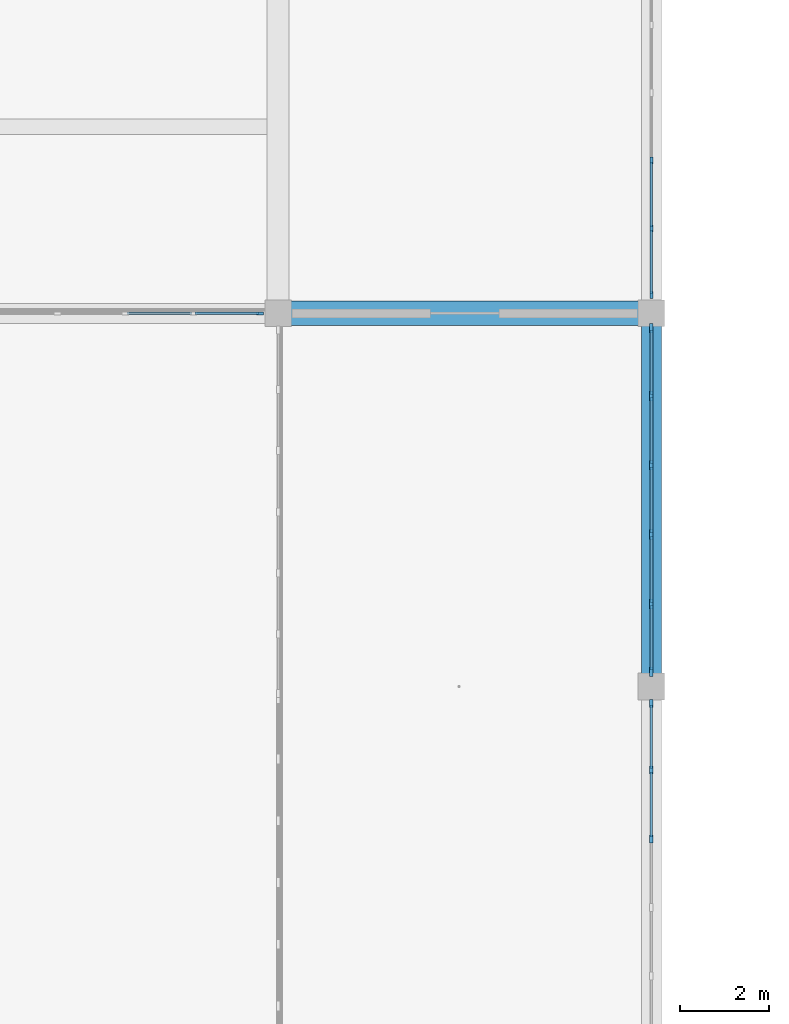
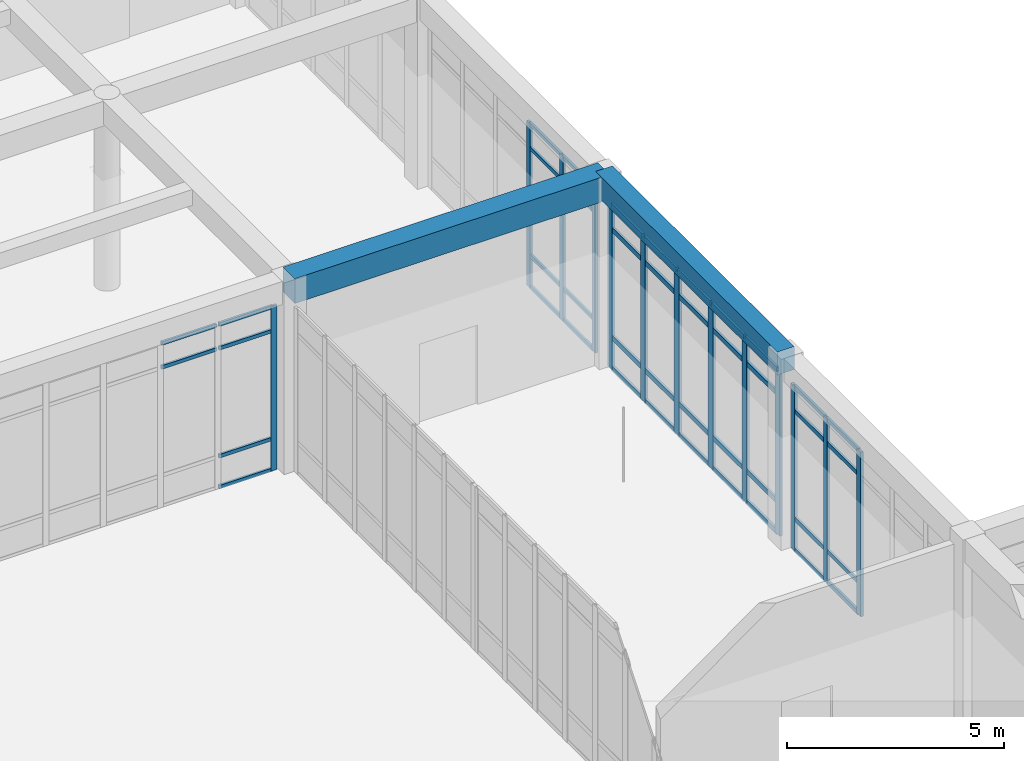
# One storey, part 29 of 157: 55 members, 2 beams, 4 elements without a shape of their own.
"""IFC4 building model written with IfcOpenShell, lengths in metres."""

from ifc_helpers import new_model, si_unit, direction, frame, origin, origin_2d, place, context, subcontext, project, spatial, rectangle, extrude, material, material_profile, profile_set, type_object, element, aggregate, save


model = new_model("IFC4")

# Units and contexts
model_context = context("Model", 3, precision=1e-05, world=origin(), true_north=direction((0.0, 1.0)))
body_context = subcontext(model_context, "Body", "Model", "MODEL_VIEW")
ifc_project = project(units=[si_unit("LENGTHUNIT", "METRE"), si_unit("AREAUNIT", "SQUARE_METRE"), si_unit("VOLUMEUNIT", "CUBIC_METRE"), si_unit("PLANEANGLEUNIT", "RADIAN"), si_unit("MASSUNIT", "GRAM", prefix="KILO")], contexts=[model_context])

# Site, building, storey
site_placement = place(None, origin())
site = spatial("IfcSite", under=ifc_project, at=site_placement, CompositionType="ELEMENT")
building_placement = place(site_placement, origin())
building = spatial("IfcBuilding", under=site, at=building_placement, Name="Varncliffe General Hospital", CompositionType="ELEMENT")
storey_placement = place(building_placement, frame((0.0, 0.0, 5.39990234375)))
storey = spatial("IfcBuildingStorey", under=building, at=storey_placement, Name="L01", CompositionType="ELEMENT", Elevation=5.39990234375)

# Beam
ifc_material_1 = material(Name="Concrete C35/45 (CSA A23.1 35 MPa)", Category="concrete")
ifc_material_profile_1 = material_profile(ifc_material_1, rectangle(XDim=0.550048828125, YDim=0.699951171875, at=origin_2d()), Name="RC 550x700")
ifc_profile_set_1 = profile_set([ifc_material_profile_1], Name="Concrete C35/45 (CSA A23.1 35 MPa)")
beam_type_1 = type_object("IfcBeamType", Name="Beam B35 (Int RC 550x700)", PredefinedType="BEAM", material=ifc_profile_set_1)
beam_1_placement = place(storey_placement, frame((109.199951171875, 57.60009765625, 5.050048828125), z_axis=(1.0, 0.0, 0.0), x_axis=(0.0, 1.0, 0.0)))
element("IfcBeam", 1, at=beam_1_placement, inside=storey, type_object=beam_type_1, Name="L01 Primary Beam B35-82", PredefinedType="BEAM", context=body_context, shape_type="SweptSolid", body=[
    extrude(rectangle(XDim=0.550048828125, YDim=0.699951171875, at=origin_2d()), origin(), (0.0, 0.0, 1.0), 8.400146484375),
])

# Curtain wall, members
ifc_material_2 = material(Name="Triple low-E argon insulated vision glazing", Category="glass")
curtain_wall_type_1 = type_object("IfcCurtainWallType", Name="Unitised Glazed Curtain Wall CW70 (7724x4640)", PredefinedType="USERDEFINED", material=ifc_material_2)
curtain_wall_1_placement = place(storey_placement, origin())
curtain_wall_1 = element("IfcCurtainWall", 2, at=curtain_wall_1_placement, inside=storey, type_object=curtain_wall_type_1, Name="L01 Glazed Curtain Wall CW70-58", ObjectType="GLAZED CURTAIN WALL", PredefinedType="USERDEFINED")
ifc_material_3 = material(Name="Dark bronze thermally broken aluminium framing", Category="aluminium")
ifc_material_profile_2 = material_profile(ifc_material_3, rectangle(XDim=0.074951171875, YDim=0.179931640625, at=origin_2d()), Name="ALU 75x180")
ifc_profile_set_2 = profile_set([ifc_material_profile_2], Name="Dark bronze thermally broken aluminium framing")
member_type_1 = type_object("IfcMemberType", Name="Curtain Wall Mullion CM44 (ALU 75x180)", PredefinedType="MULLION", material=ifc_profile_set_2)
member_1_placement = place(storey_placement, frame((117.60009765625, 48.824462890625, 0.0), z_axis=(0.0, 0.0, 1.0), x_axis=(1.0, 0.0, 0.0)))
member_1 = element("IfcMember", 3, at=member_1_placement, type_object=member_type_1, Name="CW70 mullion 1", PredefinedType="MULLION", context=body_context, shape_type="SweptSolid", body=[
    extrude(rectangle(XDim=0.074951171875, YDim=0.179931640625, at=origin_2d()), origin(), (0.0, 0.0, 1.0), 4.64013671875),
])
member_2_placement = place(storey_placement, frame((117.60009765625, 47.317138671875, 0.0), z_axis=(0.0, 0.0, 1.0), x_axis=(1.0, 0.0, 0.0)))
member_2 = element("IfcMember", 4, at=member_2_placement, type_object=member_type_1, Name="CW70 mullion 2", PredefinedType="MULLION", context=body_context, shape_type="SweptSolid", body=[
    extrude(rectangle(XDim=0.074951171875, YDim=0.179931640625, at=origin_2d()), origin(), (0.0, 0.0, 1.0), 4.64013671875),
])
member_3_placement = place(storey_placement, frame((117.60009765625, 45.7724609375, 0.0), z_axis=(0.0, 0.0, 1.0), x_axis=(1.0, 0.0, 0.0)))
member_3 = element("IfcMember", 5, at=member_3_placement, type_object=member_type_1, Name="CW70 mullion 3", PredefinedType="MULLION", context=body_context, shape_type="SweptSolid", body=[
    extrude(rectangle(XDim=0.074951171875, YDim=0.179931640625, at=origin_2d()), origin(), (0.0, 0.0, 1.0), 4.64013671875),
])

curtain_wall_type_2 = type_object("IfcCurtainWallType", Name="Unitised Glazed Curtain Wall CW27 (7644x4640)", PredefinedType="USERDEFINED", material=ifc_material_2)
curtain_wall_2_placement = place(storey_placement, origin())
curtain_wall_2 = element("IfcCurtainWall", 6, at=curtain_wall_2_placement, inside=storey, type_object=curtain_wall_type_2, Name="L01 Glazed Curtain Wall CW27-56", ObjectType="GLAZED CURTAIN WALL", PredefinedType="USERDEFINED")
ifc_material_profile_3 = material_profile(ifc_material_3, rectangle(XDim=0.06494140625, YDim=0.159912109375, at=origin_2d()), Name="ALU 65x160")
ifc_profile_set_3 = profile_set([ifc_material_profile_3], Name="Dark bronze thermally broken aluminium framing")
member_type_2 = type_object("IfcMemberType", Name="Curtain Wall Mullion CM65 (ALU 65x160)", PredefinedType="MULLION", material=ifc_profile_set_3)
member_4_placement = place(storey_placement, frame((117.60009765625, 61.03564453125, 0.0), z_axis=(0.0, 0.0, 1.0), x_axis=(1.0, 0.0, 0.0)))
member_4 = element("IfcMember", 7, at=member_4_placement, type_object=member_type_2, Name="CW27 mullion 4", PredefinedType="MULLION", context=body_context, shape_type="SweptSolid", body=[
    extrude(rectangle(XDim=0.06494140625, YDim=0.159912109375, at=origin_2d()), origin(), (0.0, 0.0, 1.0), 4.64013671875),
])
member_5_placement = place(storey_placement, frame((117.60009765625, 59.5068359375, 0.0), z_axis=(0.0, 0.0, 1.0), x_axis=(1.0, 0.0, 0.0)))
member_5 = element("IfcMember", 8, at=member_5_placement, type_object=member_type_2, Name="CW27 mullion 5", PredefinedType="MULLION", context=body_context, shape_type="SweptSolid", body=[
    extrude(rectangle(XDim=0.06494140625, YDim=0.159912109375, at=origin_2d()), origin(), (0.0, 0.0, 1.0), 4.64013671875),
])
member_6_placement = place(storey_placement, frame((117.60009765625, 58.010498046875, 0.0), z_axis=(0.0, 0.0, 1.0), x_axis=(1.0, 0.0, 0.0)))
member_6 = element("IfcMember", 9, at=member_6_placement, type_object=member_type_2, Name="CW27 mullion 6", PredefinedType="MULLION", context=body_context, shape_type="SweptSolid", body=[
    extrude(rectangle(XDim=0.06494140625, YDim=0.159912109375, at=origin_2d()), origin(), (0.0, 0.0, 1.0), 4.64013671875),
])

# Curtain wall, member
curtain_wall_3_placement = place(storey_placement, origin())
curtain_wall_3 = element("IfcCurtainWall", 10, at=curtain_wall_3_placement, inside=storey, type_object=curtain_wall_type_2, Name="L01 Glazed Curtain Wall CW27-101", ObjectType="GLAZED CURTAIN WALL", PredefinedType="USERDEFINED")
member_7_placement = place(storey_placement, frame((108.78955078125, 57.60009765625, 0.0), z_axis=(0.0, 0.0, 1.0), x_axis=(0.0, -1.0, 0.0)))
member_7 = element("IfcMember", 11, at=member_7_placement, type_object=member_type_2, Name="CW27 mullion 1", PredefinedType="MULLION", context=body_context, shape_type="SweptSolid", body=[
    extrude(rectangle(XDim=0.06494140625, YDim=0.159912109375, at=origin_2d()), origin(), (0.0, 0.0, 1.0), 4.64013671875),
])

# Curtain wall, members
curtain_wall_type_3 = type_object("IfcCurtainWallType", Name="Unitised Glazed Curtain Wall CW85 (7804x4640)", PredefinedType="USERDEFINED", material=ifc_material_2)
curtain_wall_4_placement = place(storey_placement, origin())
curtain_wall_4 = element("IfcCurtainWall", 12, at=curtain_wall_4_placement, inside=storey, type_object=curtain_wall_type_3, Name="L01 Glazed Curtain Wall CW85-57", ObjectType="GLAZED CURTAIN WALL", PredefinedType="USERDEFINED")
ifc_material_profile_4 = material_profile(ifc_material_3, rectangle(XDim=0.074951171875, YDim=0.219970703125, at=origin_2d()), Name="ALU 75x220")
ifc_profile_set_4 = profile_set([ifc_material_profile_4], Name="Dark bronze thermally broken aluminium framing")
member_type_3 = type_object("IfcMemberType", Name="Curtain Wall Mullion CM74 (ALU 75x220)", PredefinedType="MULLION", material=ifc_profile_set_4)
member_8_placement = place(storey_placement, frame((117.60009765625, 57.264404296875, 0.0), z_axis=(0.0, 0.0, 1.0), x_axis=(1.0, 0.0, 0.0)))
member_8 = element("IfcMember", 13, at=member_8_placement, type_object=member_type_3, Name="CW85 mullion 1", PredefinedType="MULLION", context=body_context, shape_type="SweptSolid", body=[
    extrude(rectangle(XDim=0.074951171875, YDim=0.219970703125, at=origin_2d()), origin(), (0.0, 0.0, 1.0), 4.64013671875),
])
member_9_placement = place(storey_placement, frame((117.60009765625, 55.7412109375, 0.0), z_axis=(0.0, 0.0, 1.0), x_axis=(1.0, 0.0, 0.0)))
member_9 = element("IfcMember", 14, at=member_9_placement, type_object=member_type_3, Name="CW85 mullion 2", PredefinedType="MULLION", context=body_context, shape_type="SweptSolid", body=[
    extrude(rectangle(XDim=0.074951171875, YDim=0.219970703125, at=origin_2d()), origin(), (0.0, 0.0, 1.0), 4.64013671875),
])
member_10_placement = place(storey_placement, frame((117.60009765625, 54.180419921875, 0.0), z_axis=(0.0, 0.0, 1.0), x_axis=(1.0, 0.0, 0.0)))
member_10 = element("IfcMember", 15, at=member_10_placement, type_object=member_type_3, Name="CW85 mullion 3", PredefinedType="MULLION", context=body_context, shape_type="SweptSolid", body=[
    extrude(rectangle(XDim=0.074951171875, YDim=0.219970703125, at=origin_2d()), origin(), (0.0, 0.0, 1.0), 4.64013671875),
])
member_11_placement = place(storey_placement, frame((117.60009765625, 52.61962890625, 0.0), z_axis=(0.0, 0.0, 1.0), x_axis=(1.0, 0.0, 0.0)))
member_11 = element("IfcMember", 16, at=member_11_placement, type_object=member_type_3, Name="CW85 mullion 4", PredefinedType="MULLION", context=body_context, shape_type="SweptSolid", body=[
    extrude(rectangle(XDim=0.074951171875, YDim=0.219970703125, at=origin_2d()), origin(), (0.0, 0.0, 1.0), 4.64013671875),
])
member_12_placement = place(storey_placement, frame((117.60009765625, 51.058837890625, 0.0), z_axis=(0.0, 0.0, 1.0), x_axis=(1.0, 0.0, 0.0)))
member_12 = element("IfcMember", 17, at=member_12_placement, type_object=member_type_3, Name="CW85 mullion 5", PredefinedType="MULLION", context=body_context, shape_type="SweptSolid", body=[
    extrude(rectangle(XDim=0.074951171875, YDim=0.219970703125, at=origin_2d()), origin(), (0.0, 0.0, 1.0), 4.64013671875),
])
member_13_placement = place(storey_placement, frame((117.60009765625, 49.535400390625, 0.0), z_axis=(0.0, 0.0, 1.0), x_axis=(1.0, 0.0, 0.0)))
member_13 = element("IfcMember", 18, at=member_13_placement, type_object=member_type_3, Name="CW85 mullion 6", PredefinedType="MULLION", context=body_context, shape_type="SweptSolid", body=[
    extrude(rectangle(XDim=0.074951171875, YDim=0.219970703125, at=origin_2d()), origin(), (0.0, 0.0, 1.0), 4.64013671875),
])

# Member
ifc_material_profile_5 = material_profile(ifc_material_3, rectangle(XDim=0.06005859375, YDim=0.1201171875, at=origin_2d()), Name="ALU 60x120")
ifc_profile_set_5 = profile_set([ifc_material_profile_5], Name="Dark bronze thermally broken aluminium framing")
member_type_4 = type_object("IfcMemberType", Name="Curtain Wall Transom CT14 (ALU 60x120)", PredefinedType="USERDEFINED", material=ifc_profile_set_5)
member_14_placement = place(storey_placement, frame((117.60009765625, 48.787109375, 0.030029296875), z_axis=(0.0, -1.0, 0.0), x_axis=(1.0, 0.0, 0.0)))
member_14 = element("IfcMember", 19, at=member_14_placement, type_object=member_type_4, Name="CW70 transom 1.1", ObjectType="TRANSOM", PredefinedType="USERDEFINED", context=body_context, shape_type="SweptSolid", body=[
    extrude(rectangle(XDim=0.06005859375, YDim=0.1201171875, at=origin_2d()), origin(), (0.0, 0.0, 1.0), 1.432373046875),
])

member_15_placement = place(storey_placement, frame((117.60009765625, 48.787109375, 0.900146484375), z_axis=(0.0, -1.0, 0.0), x_axis=(1.0, 0.0, 0.0)))
member_15 = element("IfcMember", 20, at=member_15_placement, type_object=member_type_4, Name="CW70 transom 1.2", ObjectType="TRANSOM", PredefinedType="USERDEFINED", context=body_context, shape_type="SweptSolid", body=[
    extrude(rectangle(XDim=0.06005859375, YDim=0.1201171875, at=origin_2d()), origin(), (0.0, 0.0, 1.0), 1.432373046875),
])

member_16_placement = place(storey_placement, frame((117.60009765625, 48.787109375, 3.940185546875), z_axis=(0.0, -1.0, 0.0), x_axis=(1.0, 0.0, 0.0)))
member_16 = element("IfcMember", 21, at=member_16_placement, type_object=member_type_4, Name="CW70 transom 1.3", ObjectType="TRANSOM", PredefinedType="USERDEFINED", context=body_context, shape_type="SweptSolid", body=[
    extrude(rectangle(XDim=0.06005859375, YDim=0.1201171875, at=origin_2d()), origin(), (0.0, 0.0, 1.0), 1.432373046875),
])

member_17_placement = place(storey_placement, frame((117.60009765625, 48.787109375, 4.610107421875), z_axis=(0.0, -1.0, 0.0), x_axis=(1.0, 0.0, 0.0)))
member_17 = element("IfcMember", 22, at=member_17_placement, type_object=member_type_4, Name="CW70 transom 1.4", ObjectType="TRANSOM", PredefinedType="USERDEFINED", context=body_context, shape_type="SweptSolid", body=[
    extrude(rectangle(XDim=0.06005859375, YDim=0.1201171875, at=origin_2d()), origin(), (0.0, 0.0, 1.0), 1.432373046875),
])

member_18_placement = place(storey_placement, frame((117.60009765625, 47.27978515625, 0.030029296875), z_axis=(0.0, -1.0, 0.0), x_axis=(1.0, 0.0, 0.0)))
member_18 = element("IfcMember", 23, at=member_18_placement, type_object=member_type_4, Name="CW70 transom 2.1", ObjectType="TRANSOM", PredefinedType="USERDEFINED", context=body_context, shape_type="SweptSolid", body=[
    extrude(rectangle(XDim=0.06005859375, YDim=0.1201171875, at=origin_2d()), origin(), (0.0, 0.0, 1.0), 1.469970703125),
])

member_19_placement = place(storey_placement, frame((117.60009765625, 47.27978515625, 0.900146484375), z_axis=(0.0, -1.0, 0.0), x_axis=(1.0, 0.0, 0.0)))
member_19 = element("IfcMember", 24, at=member_19_placement, type_object=member_type_4, Name="CW70 transom 2.2", ObjectType="TRANSOM", PredefinedType="USERDEFINED", context=body_context, shape_type="SweptSolid", body=[
    extrude(rectangle(XDim=0.06005859375, YDim=0.1201171875, at=origin_2d()), origin(), (0.0, 0.0, 1.0), 1.469970703125),
])

member_20_placement = place(storey_placement, frame((117.60009765625, 47.27978515625, 3.940185546875), z_axis=(0.0, -1.0, 0.0), x_axis=(1.0, 0.0, 0.0)))
member_20 = element("IfcMember", 25, at=member_20_placement, type_object=member_type_4, Name="CW70 transom 2.3", ObjectType="TRANSOM", PredefinedType="USERDEFINED", context=body_context, shape_type="SweptSolid", body=[
    extrude(rectangle(XDim=0.06005859375, YDim=0.1201171875, at=origin_2d()), origin(), (0.0, 0.0, 1.0), 1.469970703125),
])

member_21_placement = place(storey_placement, frame((117.60009765625, 47.27978515625, 4.610107421875), z_axis=(0.0, -1.0, 0.0), x_axis=(1.0, 0.0, 0.0)))
member_21 = element("IfcMember", 26, at=member_21_placement, type_object=member_type_4, Name="CW70 transom 2.4", ObjectType="TRANSOM", PredefinedType="USERDEFINED", context=body_context, shape_type="SweptSolid", body=[
    extrude(rectangle(XDim=0.06005859375, YDim=0.1201171875, at=origin_2d()), origin(), (0.0, 0.0, 1.0), 1.469970703125),
])

aggregate(curtain_wall_1, [member_1, member_2, member_3, member_14, member_15, member_16, member_17, member_18, member_19, member_20, member_21])

ifc_material_profile_6 = material_profile(ifc_material_3, rectangle(XDim=0.06005859375, YDim=0.10009765625, at=origin_2d()), Name="ALU 60x100")
ifc_profile_set_6 = profile_set([ifc_material_profile_6], Name="Dark bronze thermally broken aluminium framing")
member_type_5 = type_object("IfcMemberType", Name="Curtain Wall Transom CT18 (ALU 60x100)", PredefinedType="USERDEFINED", material=ifc_profile_set_6)
member_22_placement = place(storey_placement, frame((117.60009765625, 61.003173828125, 0.030029296875), z_axis=(0.0, -1.0, 0.0), x_axis=(1.0, 0.0, 0.0)))
member_22 = element("IfcMember", 27, at=member_22_placement, type_object=member_type_5, Name="CW27 transom 4.1", ObjectType="TRANSOM", PredefinedType="USERDEFINED", context=body_context, shape_type="SweptSolid", body=[
    extrude(rectangle(XDim=0.06005859375, YDim=0.10009765625, at=origin_2d()), origin(), (0.0, 0.0, 1.0), 1.4638671875),
])

member_23_placement = place(storey_placement, frame((117.60009765625, 61.003173828125, 0.900146484375), z_axis=(0.0, -1.0, 0.0), x_axis=(1.0, 0.0, 0.0)))
member_23 = element("IfcMember", 28, at=member_23_placement, type_object=member_type_5, Name="CW27 transom 4.2", ObjectType="TRANSOM", PredefinedType="USERDEFINED", context=body_context, shape_type="SweptSolid", body=[
    extrude(rectangle(XDim=0.06005859375, YDim=0.10009765625, at=origin_2d()), origin(), (0.0, 0.0, 1.0), 1.4638671875),
])

member_24_placement = place(storey_placement, frame((117.60009765625, 61.003173828125, 3.940185546875), z_axis=(0.0, -1.0, 0.0), x_axis=(1.0, 0.0, 0.0)))
member_24 = element("IfcMember", 29, at=member_24_placement, type_object=member_type_5, Name="CW27 transom 4.3", ObjectType="TRANSOM", PredefinedType="USERDEFINED", context=body_context, shape_type="SweptSolid", body=[
    extrude(rectangle(XDim=0.06005859375, YDim=0.10009765625, at=origin_2d()), origin(), (0.0, 0.0, 1.0), 1.4638671875),
])

member_25_placement = place(storey_placement, frame((117.60009765625, 61.003173828125, 4.610107421875), z_axis=(0.0, -1.0, 0.0), x_axis=(1.0, 0.0, 0.0)))
member_25 = element("IfcMember", 30, at=member_25_placement, type_object=member_type_5, Name="CW27 transom 4.4", ObjectType="TRANSOM", PredefinedType="USERDEFINED", context=body_context, shape_type="SweptSolid", body=[
    extrude(rectangle(XDim=0.06005859375, YDim=0.10009765625, at=origin_2d()), origin(), (0.0, 0.0, 1.0), 1.4638671875),
])

member_26_placement = place(storey_placement, frame((117.60009765625, 59.474365234375, 0.030029296875), z_axis=(0.0, -1.0, 0.0), x_axis=(1.0, 0.0, 0.0)))
member_26 = element("IfcMember", 31, at=member_26_placement, type_object=member_type_5, Name="CW27 transom 5.1", ObjectType="TRANSOM", PredefinedType="USERDEFINED", context=body_context, shape_type="SweptSolid", body=[
    extrude(rectangle(XDim=0.06005859375, YDim=0.10009765625, at=origin_2d()), origin(), (0.0, 0.0, 1.0), 1.431396484375),
])

member_27_placement = place(storey_placement, frame((117.60009765625, 59.474365234375, 0.900146484375), z_axis=(0.0, -1.0, 0.0), x_axis=(1.0, 0.0, 0.0)))
member_27 = element("IfcMember", 32, at=member_27_placement, type_object=member_type_5, Name="CW27 transom 5.2", ObjectType="TRANSOM", PredefinedType="USERDEFINED", context=body_context, shape_type="SweptSolid", body=[
    extrude(rectangle(XDim=0.06005859375, YDim=0.10009765625, at=origin_2d()), origin(), (0.0, 0.0, 1.0), 1.431396484375),
])

member_28_placement = place(storey_placement, frame((117.60009765625, 59.474365234375, 3.940185546875), z_axis=(0.0, -1.0, 0.0), x_axis=(1.0, 0.0, 0.0)))
member_28 = element("IfcMember", 33, at=member_28_placement, type_object=member_type_5, Name="CW27 transom 5.3", ObjectType="TRANSOM", PredefinedType="USERDEFINED", context=body_context, shape_type="SweptSolid", body=[
    extrude(rectangle(XDim=0.06005859375, YDim=0.10009765625, at=origin_2d()), origin(), (0.0, 0.0, 1.0), 1.431396484375),
])

member_29_placement = place(storey_placement, frame((117.60009765625, 59.474365234375, 4.610107421875), z_axis=(0.0, -1.0, 0.0), x_axis=(1.0, 0.0, 0.0)))
member_29 = element("IfcMember", 34, at=member_29_placement, type_object=member_type_5, Name="CW27 transom 5.4", ObjectType="TRANSOM", PredefinedType="USERDEFINED", context=body_context, shape_type="SweptSolid", body=[
    extrude(rectangle(XDim=0.06005859375, YDim=0.10009765625, at=origin_2d()), origin(), (0.0, 0.0, 1.0), 1.431396484375),
])

aggregate(curtain_wall_2, [member_4, member_5, member_6, member_22, member_23, member_24, member_25, member_26, member_27, member_28, member_29])

member_30_placement = place(storey_placement, frame((108.757080078125, 57.60009765625, 0.030029296875), z_axis=(-1.0, 0.0, 0.0), x_axis=(0.0, -1.0, 0.0)))
member_30 = element("IfcMember", 35, at=member_30_placement, type_object=member_type_5, Name="CW27 transom 1.1", ObjectType="TRANSOM", PredefinedType="USERDEFINED", context=body_context, shape_type="SweptSolid", body=[
    extrude(rectangle(XDim=0.06005859375, YDim=0.10009765625, at=origin_2d()), origin(), (0.0, 0.0, 1.0), 1.431396484375),
])

member_31_placement = place(storey_placement, frame((108.757080078125, 57.60009765625, 0.900146484375), z_axis=(-1.0, 0.0, 0.0), x_axis=(0.0, -1.0, 0.0)))
member_31 = element("IfcMember", 36, at=member_31_placement, type_object=member_type_5, Name="CW27 transom 1.2", ObjectType="TRANSOM", PredefinedType="USERDEFINED", context=body_context, shape_type="SweptSolid", body=[
    extrude(rectangle(XDim=0.06005859375, YDim=0.10009765625, at=origin_2d()), origin(), (0.0, 0.0, 1.0), 1.431396484375),
])

member_32_placement = place(storey_placement, frame((108.757080078125, 57.60009765625, 3.940185546875), z_axis=(-1.0, 0.0, 0.0), x_axis=(0.0, -1.0, 0.0)))
member_32 = element("IfcMember", 37, at=member_32_placement, type_object=member_type_5, Name="CW27 transom 1.3", ObjectType="TRANSOM", PredefinedType="USERDEFINED", context=body_context, shape_type="SweptSolid", body=[
    extrude(rectangle(XDim=0.06005859375, YDim=0.10009765625, at=origin_2d()), origin(), (0.0, 0.0, 1.0), 1.431396484375),
])

member_33_placement = place(storey_placement, frame((108.757080078125, 57.60009765625, 4.610107421875), z_axis=(-1.0, 0.0, 0.0), x_axis=(0.0, -1.0, 0.0)))
member_33 = element("IfcMember", 38, at=member_33_placement, type_object=member_type_5, Name="CW27 transom 1.4", ObjectType="TRANSOM", PredefinedType="USERDEFINED", context=body_context, shape_type="SweptSolid", body=[
    extrude(rectangle(XDim=0.06005859375, YDim=0.10009765625, at=origin_2d()), origin(), (0.0, 0.0, 1.0), 1.431396484375),
])

member_34_placement = place(storey_placement, frame((107.2607421875, 57.60009765625, 3.940185546875), z_axis=(-1.0, 0.0, 0.0), x_axis=(0.0, -1.0, 0.0)))
member_34 = element("IfcMember", 39, at=member_34_placement, type_object=member_type_5, Name="CW27 transom 2.3", ObjectType="TRANSOM", PredefinedType="USERDEFINED", context=body_context, shape_type="SweptSolid", body=[
    extrude(rectangle(XDim=0.06005859375, YDim=0.10009765625, at=origin_2d()), origin(), (0.0, 0.0, 1.0), 1.4638671875),
])

member_35_placement = place(storey_placement, frame((107.2607421875, 57.60009765625, 4.610107421875), z_axis=(-1.0, 0.0, 0.0), x_axis=(0.0, -1.0, 0.0)))
member_35 = element("IfcMember", 40, at=member_35_placement, type_object=member_type_5, Name="CW27 transom 2.4", ObjectType="TRANSOM", PredefinedType="USERDEFINED", context=body_context, shape_type="SweptSolid", body=[
    extrude(rectangle(XDim=0.06005859375, YDim=0.10009765625, at=origin_2d()), origin(), (0.0, 0.0, 1.0), 1.4638671875),
])

aggregate(curtain_wall_3, [member_7, member_30, member_31, member_32, member_33, member_34, member_35])

ifc_material_profile_7 = material_profile(ifc_material_3, rectangle(XDim=0.06494140625, YDim=0.139892578125, at=origin_2d()), Name="ALU 65x140")
ifc_profile_set_7 = profile_set([ifc_material_profile_7], Name="Dark bronze thermally broken aluminium framing")
member_type_6 = type_object("IfcMemberType", Name="Curtain Wall Transom CT69 (ALU 65x140)", PredefinedType="USERDEFINED", material=ifc_profile_set_7)
member_36_placement = place(storey_placement, frame((117.60009765625, 57.22705078125, 0.03271484375), z_axis=(0.0, -1.0, 0.0), x_axis=(1.0, 0.0, 0.0)))
member_36 = element("IfcMember", 41, at=member_36_placement, type_object=member_type_6, Name="CW85 transom 1.1", ObjectType="TRANSOM", PredefinedType="USERDEFINED", context=body_context, shape_type="SweptSolid", body=[
    extrude(rectangle(XDim=0.06494140625, YDim=0.139892578125, at=origin_2d()), origin(), (0.0, 0.0, 1.0), 1.4482421875),
])

member_37_placement = place(storey_placement, frame((117.60009765625, 57.22705078125, 0.900146484375), z_axis=(0.0, -1.0, 0.0), x_axis=(1.0, 0.0, 0.0)))
member_37 = element("IfcMember", 42, at=member_37_placement, type_object=member_type_6, Name="CW85 transom 1.2", ObjectType="TRANSOM", PredefinedType="USERDEFINED", context=body_context, shape_type="SweptSolid", body=[
    extrude(rectangle(XDim=0.06494140625, YDim=0.139892578125, at=origin_2d()), origin(), (0.0, 0.0, 1.0), 1.4482421875),
])

member_38_placement = place(storey_placement, frame((117.60009765625, 57.22705078125, 3.940185546875), z_axis=(0.0, -1.0, 0.0), x_axis=(1.0, 0.0, 0.0)))
member_38 = element("IfcMember", 43, at=member_38_placement, type_object=member_type_6, Name="CW85 transom 1.3", ObjectType="TRANSOM", PredefinedType="USERDEFINED", context=body_context, shape_type="SweptSolid", body=[
    extrude(rectangle(XDim=0.06494140625, YDim=0.139892578125, at=origin_2d()), origin(), (0.0, 0.0, 1.0), 1.4482421875),
])

member_39_placement = place(storey_placement, frame((117.60009765625, 57.22705078125, 4.607666015625), z_axis=(0.0, -1.0, 0.0), x_axis=(1.0, 0.0, 0.0)))
member_39 = element("IfcMember", 44, at=member_39_placement, type_object=member_type_6, Name="CW85 transom 1.4", ObjectType="TRANSOM", PredefinedType="USERDEFINED", context=body_context, shape_type="SweptSolid", body=[
    extrude(rectangle(XDim=0.06494140625, YDim=0.139892578125, at=origin_2d()), origin(), (0.0, 0.0, 1.0), 1.4482421875),
])

member_40_placement = place(storey_placement, frame((117.60009765625, 55.70361328125, 0.03271484375), z_axis=(0.0, -1.0, 0.0), x_axis=(1.0, 0.0, 0.0)))
member_40 = element("IfcMember", 45, at=member_40_placement, type_object=member_type_6, Name="CW85 transom 2.1", ObjectType="TRANSOM", PredefinedType="USERDEFINED", context=body_context, shape_type="SweptSolid", body=[
    extrude(rectangle(XDim=0.06494140625, YDim=0.139892578125, at=origin_2d()), origin(), (0.0, 0.0, 1.0), 1.485595703125),
])

member_41_placement = place(storey_placement, frame((117.60009765625, 55.70361328125, 0.900146484375), z_axis=(0.0, -1.0, 0.0), x_axis=(1.0, 0.0, 0.0)))
member_41 = element("IfcMember", 46, at=member_41_placement, type_object=member_type_6, Name="CW85 transom 2.2", ObjectType="TRANSOM", PredefinedType="USERDEFINED", context=body_context, shape_type="SweptSolid", body=[
    extrude(rectangle(XDim=0.06494140625, YDim=0.139892578125, at=origin_2d()), origin(), (0.0, 0.0, 1.0), 1.485595703125),
])

member_42_placement = place(storey_placement, frame((117.60009765625, 55.70361328125, 3.940185546875), z_axis=(0.0, -1.0, 0.0), x_axis=(1.0, 0.0, 0.0)))
member_42 = element("IfcMember", 47, at=member_42_placement, type_object=member_type_6, Name="CW85 transom 2.3", ObjectType="TRANSOM", PredefinedType="USERDEFINED", context=body_context, shape_type="SweptSolid", body=[
    extrude(rectangle(XDim=0.06494140625, YDim=0.139892578125, at=origin_2d()), origin(), (0.0, 0.0, 1.0), 1.485595703125),
])

member_43_placement = place(storey_placement, frame((117.60009765625, 55.70361328125, 4.607666015625), z_axis=(0.0, -1.0, 0.0), x_axis=(1.0, 0.0, 0.0)))
member_43 = element("IfcMember", 48, at=member_43_placement, type_object=member_type_6, Name="CW85 transom 2.4", ObjectType="TRANSOM", PredefinedType="USERDEFINED", context=body_context, shape_type="SweptSolid", body=[
    extrude(rectangle(XDim=0.06494140625, YDim=0.139892578125, at=origin_2d()), origin(), (0.0, 0.0, 1.0), 1.485595703125),
])

member_44_placement = place(storey_placement, frame((117.60009765625, 54.142822265625, 0.03271484375), z_axis=(0.0, -1.0, 0.0), x_axis=(1.0, 0.0, 0.0)))
member_44 = element("IfcMember", 49, at=member_44_placement, type_object=member_type_6, Name="CW85 transom 3.1", ObjectType="TRANSOM", PredefinedType="USERDEFINED", context=body_context, shape_type="SweptSolid", body=[
    extrude(rectangle(XDim=0.06494140625, YDim=0.139892578125, at=origin_2d()), origin(), (0.0, 0.0, 1.0), 1.48583984375),
])

member_45_placement = place(storey_placement, frame((117.60009765625, 54.142822265625, 0.900146484375), z_axis=(0.0, -1.0, 0.0), x_axis=(1.0, 0.0, 0.0)))
member_45 = element("IfcMember", 50, at=member_45_placement, type_object=member_type_6, Name="CW85 transom 3.2", ObjectType="TRANSOM", PredefinedType="USERDEFINED", context=body_context, shape_type="SweptSolid", body=[
    extrude(rectangle(XDim=0.06494140625, YDim=0.139892578125, at=origin_2d()), origin(), (0.0, 0.0, 1.0), 1.48583984375),
])

member_46_placement = place(storey_placement, frame((117.60009765625, 54.142822265625, 3.940185546875), z_axis=(0.0, -1.0, 0.0), x_axis=(1.0, 0.0, 0.0)))
member_46 = element("IfcMember", 51, at=member_46_placement, type_object=member_type_6, Name="CW85 transom 3.3", ObjectType="TRANSOM", PredefinedType="USERDEFINED", context=body_context, shape_type="SweptSolid", body=[
    extrude(rectangle(XDim=0.06494140625, YDim=0.139892578125, at=origin_2d()), origin(), (0.0, 0.0, 1.0), 1.48583984375),
])

member_47_placement = place(storey_placement, frame((117.60009765625, 54.142822265625, 4.607666015625), z_axis=(0.0, -1.0, 0.0), x_axis=(1.0, 0.0, 0.0)))
member_47 = element("IfcMember", 52, at=member_47_placement, type_object=member_type_6, Name="CW85 transom 3.4", ObjectType="TRANSOM", PredefinedType="USERDEFINED", context=body_context, shape_type="SweptSolid", body=[
    extrude(rectangle(XDim=0.06494140625, YDim=0.139892578125, at=origin_2d()), origin(), (0.0, 0.0, 1.0), 1.48583984375),
])

member_48_placement = place(storey_placement, frame((117.60009765625, 52.58203125, 0.03271484375), z_axis=(0.0, -1.0, 0.0), x_axis=(1.0, 0.0, 0.0)))
member_48 = element("IfcMember", 53, at=member_48_placement, type_object=member_type_6, Name="CW85 transom 4.1", ObjectType="TRANSOM", PredefinedType="USERDEFINED", context=body_context, shape_type="SweptSolid", body=[
    extrude(rectangle(XDim=0.06494140625, YDim=0.139892578125, at=origin_2d()), origin(), (0.0, 0.0, 1.0), 1.48583984375),
])

member_49_placement = place(storey_placement, frame((117.60009765625, 52.58203125, 0.900146484375), z_axis=(0.0, -1.0, 0.0), x_axis=(1.0, 0.0, 0.0)))
member_49 = element("IfcMember", 54, at=member_49_placement, type_object=member_type_6, Name="CW85 transom 4.2", ObjectType="TRANSOM", PredefinedType="USERDEFINED", context=body_context, shape_type="SweptSolid", body=[
    extrude(rectangle(XDim=0.06494140625, YDim=0.139892578125, at=origin_2d()), origin(), (0.0, 0.0, 1.0), 1.48583984375),
])

member_50_placement = place(storey_placement, frame((117.60009765625, 52.58203125, 3.940185546875), z_axis=(0.0, -1.0, 0.0), x_axis=(1.0, 0.0, 0.0)))
member_50 = element("IfcMember", 55, at=member_50_placement, type_object=member_type_6, Name="CW85 transom 4.3", ObjectType="TRANSOM", PredefinedType="USERDEFINED", context=body_context, shape_type="SweptSolid", body=[
    extrude(rectangle(XDim=0.06494140625, YDim=0.139892578125, at=origin_2d()), origin(), (0.0, 0.0, 1.0), 1.48583984375),
])

member_51_placement = place(storey_placement, frame((117.60009765625, 52.58203125, 4.607666015625), z_axis=(0.0, -1.0, 0.0), x_axis=(1.0, 0.0, 0.0)))
member_51 = element("IfcMember", 56, at=member_51_placement, type_object=member_type_6, Name="CW85 transom 4.4", ObjectType="TRANSOM", PredefinedType="USERDEFINED", context=body_context, shape_type="SweptSolid", body=[
    extrude(rectangle(XDim=0.06494140625, YDim=0.139892578125, at=origin_2d()), origin(), (0.0, 0.0, 1.0), 1.48583984375),
])

member_52_placement = place(storey_placement, frame((117.60009765625, 51.021240234375, 0.03271484375), z_axis=(0.0, -1.0, 0.0), x_axis=(1.0, 0.0, 0.0)))
member_52 = element("IfcMember", 57, at=member_52_placement, type_object=member_type_6, Name="CW85 transom 5.1", ObjectType="TRANSOM", PredefinedType="USERDEFINED", context=body_context, shape_type="SweptSolid", body=[
    extrude(rectangle(XDim=0.06494140625, YDim=0.139892578125, at=origin_2d()), origin(), (0.0, 0.0, 1.0), 1.4482421875),
])

member_53_placement = place(storey_placement, frame((117.60009765625, 51.021240234375, 0.900146484375), z_axis=(0.0, -1.0, 0.0), x_axis=(1.0, 0.0, 0.0)))
member_53 = element("IfcMember", 58, at=member_53_placement, type_object=member_type_6, Name="CW85 transom 5.2", ObjectType="TRANSOM", PredefinedType="USERDEFINED", context=body_context, shape_type="SweptSolid", body=[
    extrude(rectangle(XDim=0.06494140625, YDim=0.139892578125, at=origin_2d()), origin(), (0.0, 0.0, 1.0), 1.4482421875),
])

member_54_placement = place(storey_placement, frame((117.60009765625, 51.021240234375, 3.940185546875), z_axis=(0.0, -1.0, 0.0), x_axis=(1.0, 0.0, 0.0)))
member_54 = element("IfcMember", 59, at=member_54_placement, type_object=member_type_6, Name="CW85 transom 5.3", ObjectType="TRANSOM", PredefinedType="USERDEFINED", context=body_context, shape_type="SweptSolid", body=[
    extrude(rectangle(XDim=0.06494140625, YDim=0.139892578125, at=origin_2d()), origin(), (0.0, 0.0, 1.0), 1.4482421875),
])

member_55_placement = place(storey_placement, frame((117.60009765625, 51.021240234375, 4.607666015625), z_axis=(0.0, -1.0, 0.0), x_axis=(1.0, 0.0, 0.0)))
member_55 = element("IfcMember", 60, at=member_55_placement, type_object=member_type_6, Name="CW85 transom 5.4", ObjectType="TRANSOM", PredefinedType="USERDEFINED", context=body_context, shape_type="SweptSolid", body=[
    extrude(rectangle(XDim=0.06494140625, YDim=0.139892578125, at=origin_2d()), origin(), (0.0, 0.0, 1.0), 1.4482421875),
])

aggregate(curtain_wall_4, [member_8, member_9, member_10, member_11, member_12, member_13, member_36, member_37, member_38, member_39, member_40, member_41, member_42, member_43, member_44, member_45, member_46, member_47, member_48, member_49, member_50, member_51, member_52, member_53, member_54, member_55])

# Beam
ifc_material_profile_8 = material_profile(ifc_material_1, rectangle(XDim=0.449951171875, YDim=0.64990234375, at=origin_2d()), Name="RC 450x650")
ifc_profile_set_8 = profile_set([ifc_material_profile_8], Name="Concrete C35/45 (CSA A23.1 35 MPa)")
beam_type_2 = type_object("IfcBeamType", Name="Spandrel SP38 (Ext RC 450x650B)", PredefinedType="SPANDREL", material=ifc_profile_set_8)
beam_2_placement = place(storey_placement, frame((117.60009765625, 49.199951171875, 5.0751953125), z_axis=(0.0, 1.0, 0.0), x_axis=(-1.0, 0.0, 0.0)))
element("IfcBeam", 61, at=beam_2_placement, inside=storey, type_object=beam_type_2, Name="L01 Spandrel Beam SP38-422", PredefinedType="SPANDREL", context=body_context, shape_type="SweptSolid", body=[
    extrude(rectangle(XDim=0.449951171875, YDim=0.64990234375, at=origin_2d()), origin(), (0.0, 0.0, 1.0), 8.400146484375),
])

save(model, "model.ifc")
